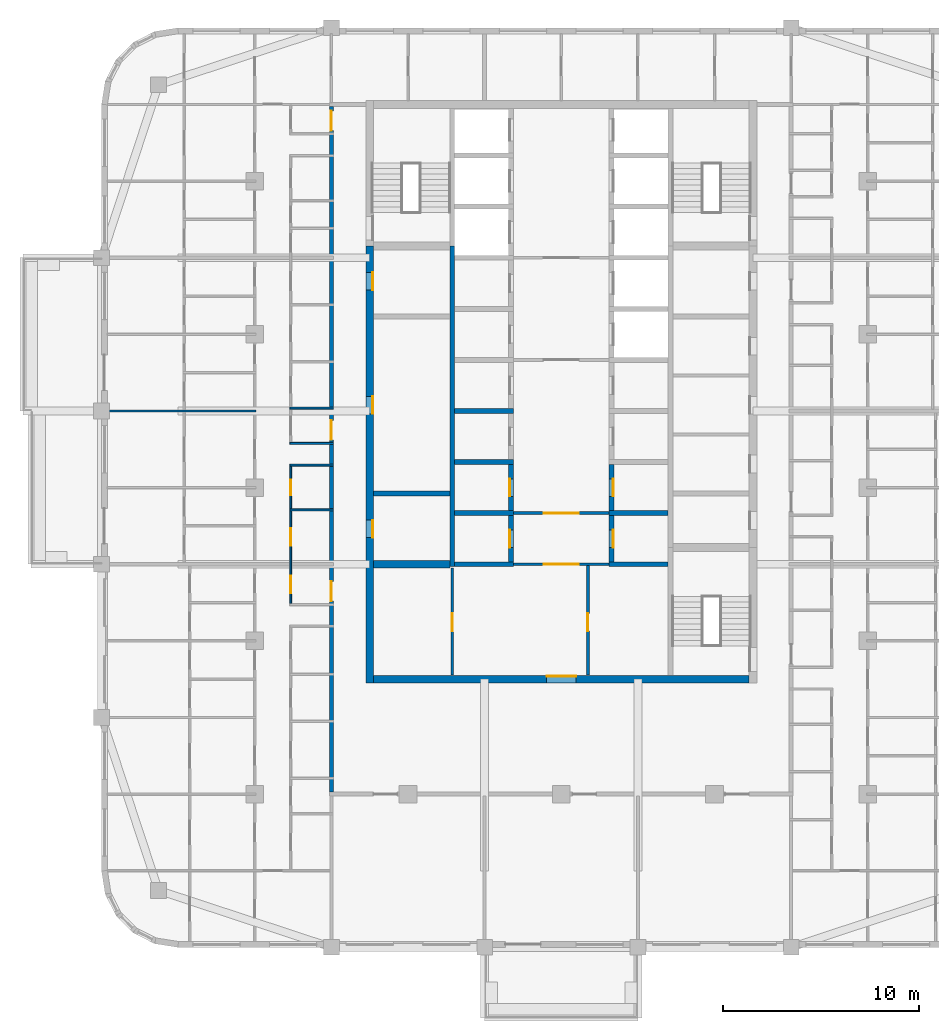
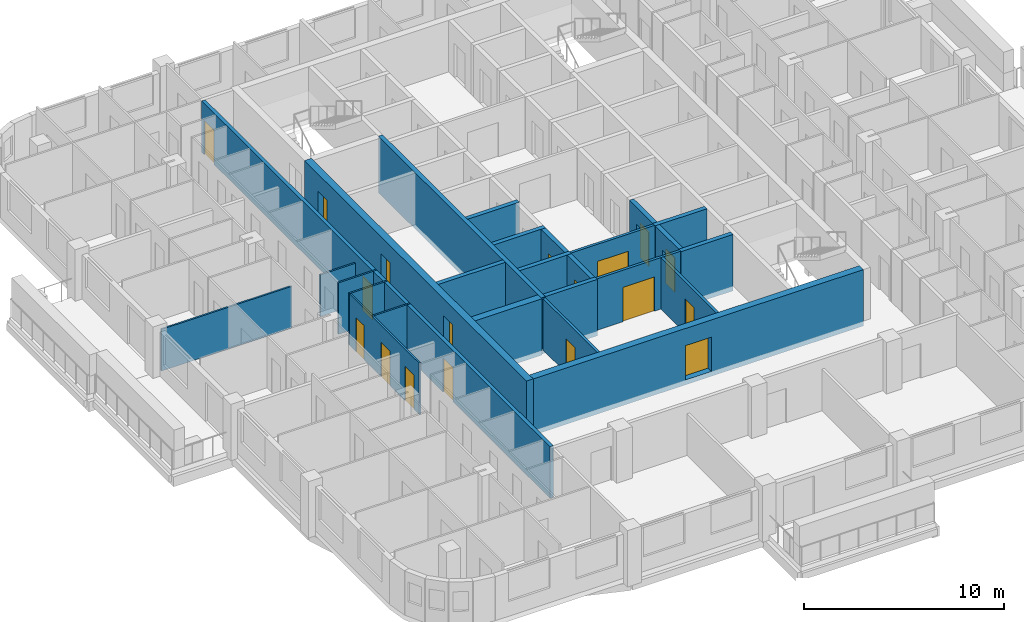
# One storey, part 4 of 15: 26 walls, 18 doors, 18 openings.
"""IFC4 building model written with IfcOpenShell, lengths in metres."""

from ifc_helpers import new_model, si_unit, direction, frame, frame_2d, origin, place, context, subcontext, project, spatial, rectangle, extrude, material, layer, layer_set, type_object, element, fill, save


model = new_model("IFC4")

# Units and contexts
model_context = context("Model", 3, precision=1e-05, world=origin(), true_north=direction((0.0, 1.0)))
body_context = subcontext(model_context, "Body", "Model", "MODEL_VIEW")
ifc_project = project(units=[si_unit("LENGTHUNIT", "METRE"), si_unit("AREAUNIT", "SQUARE_METRE"), si_unit("VOLUMEUNIT", "CUBIC_METRE"), si_unit("PLANEANGLEUNIT", "RADIAN"), si_unit("MASSUNIT", "GRAM", prefix="KILO")], contexts=[model_context])

# Site, building, storey
site_placement = place(None, origin())
site = spatial("IfcSite", under=ifc_project, at=site_placement, CompositionType="ELEMENT")
building_placement = place(site_placement, origin())
building = spatial("IfcBuilding", under=site, at=building_placement, Name="Ludao Terraces", CompositionType="ELEMENT")
storey_placement = place(building_placement, frame((0.0, 0.0, 197.300048828125)))
storey = spatial("IfcBuildingStorey", under=building, at=storey_placement, Name="L53", CompositionType="ELEMENT", Elevation=197.300048828125)

# Wall, openings, doors
ifc_material_1 = material(Name="Concrete C50", Category="concrete")
ifc_layer_1 = layer(ifc_material_1, 0.39990234375)
ifc_layer_set_1 = layer_set([ifc_layer_1], Name="Core wall 400 C50")
wall_type_1 = type_object("IfcWallType", Name="Core wall 400 C50", PredefinedType="SOLIDWALL", material=ifc_layer_set_1)
wall_1_placement = place(storey_placement, frame((75.25, 55.050048828125, -0.300048828125), z_axis=(0.0, 0.0, 1.0), x_axis=(0.0, 1.0, 0.0)))
wall_1 = element("IfcWall", 1, at=wall_1_placement, inside=storey, type_object=wall_type_1, Name="Core wall L53 outer-W", PredefinedType="SOLIDWALL", context=body_context, shape_type="SweptSolid", body=[
    extrude(rectangle(XDim=22.25, YDim=0.39990234375, at=frame_2d((11.125, 0.0))), origin(), (0.0, 0.0, 1.0), 3.449951171875),
])
opening_1_placement = place(wall_1_placement, frame((7.39990234375, 0.0, 0.300048828125)))
opening_1 = element("IfcOpeningElement", 2, at=opening_1_placement, cuts=wall_1, Name="Opening R19-054", PredefinedType="OPENING", context=body_context, shape_type="SweptSolid", body=[
    extrude(rectangle(XDim=0.89990234375, YDim=2.10009765625, at=frame_2d((0.449951171875, 1.050048828125))), frame((0.0, 0.2099609375, 0.0), z_axis=(0.0, -1.0, 0.0), x_axis=(1.0, 0.0, 0.0)), (0.0, 0.0, 1.0), 0.419921875),
])
opening_2_placement = place(wall_1_placement, frame((13.699951171875, 0.0, 0.300048828125)))
opening_2 = element("IfcOpeningElement", 3, at=opening_2_placement, cuts=wall_1, Name="Opening R19-077", PredefinedType="OPENING", context=body_context, shape_type="SweptSolid", body=[
    extrude(rectangle(XDim=0.89990234375, YDim=2.10009765625, at=frame_2d((0.449951171875, 1.050048828125))), frame((0.0, 0.2099609375, 0.0), z_axis=(0.0, -1.0, 0.0), x_axis=(1.0, 0.0, 0.0)), (0.0, 0.0, 1.0), 0.419921875),
])
opening_3_placement = place(wall_1_placement, frame((20.0, 0.0, 0.300048828125)))
opening_3 = element("IfcOpeningElement", 4, at=opening_3_placement, cuts=wall_1, Name="Opening R19-100", PredefinedType="OPENING", context=body_context, shape_type="SweptSolid", body=[
    extrude(rectangle(XDim=0.89990234375, YDim=2.10009765625, at=frame_2d((0.449951171875, 1.050048828125))), frame((0.0, 0.2099609375, 0.0), z_axis=(0.0, -1.0, 0.0), x_axis=(1.0, 0.0, 0.0)), (0.0, 0.0, 1.0), 0.419921875),
])
ifc_material_2 = material(Name="Steel Q235", Category="steel")
door_type_1 = type_object("IfcDoorType", Name="INT Riser door 900", OperationType="SINGLE_SWING_LEFT", PredefinedType="DOOR", material=ifc_material_2)
door_1_placement = place(opening_1_placement, origin())
door_1 = element("IfcDoor", 5, at=door_1_placement, inside=storey, type_object=door_type_1, Name="DOOR 054", OperationType="SINGLE_SWING_RIGHT", OverallHeight=2.10009765625, OverallWidth=0.89990234375, PredefinedType="DOOR", context=body_context, shape_type="SweptSolid", body=[
    extrude(rectangle(XDim=0.89990234375, YDim=2.10009765625, at=frame_2d((0.449951171875, 1.050048828125))), frame((0.0, -0.134765625, 0.0), z_axis=(0.0, -1.0, 0.0), x_axis=(1.0, 0.0, 0.0)), (0.0, 0.0, 1.0), 0.050048828125),
])
fill(opening_1, door_1)
door_2_placement = place(opening_3_placement, origin())
door_2 = element("IfcDoor", 6, at=door_2_placement, inside=storey, type_object=door_type_1, Name="DOOR 100", OperationType="SINGLE_SWING_LEFT", OverallHeight=2.10009765625, OverallWidth=0.89990234375, PredefinedType="DOOR", context=body_context, shape_type="SweptSolid", body=[
    extrude(rectangle(XDim=0.89990234375, YDim=2.10009765625, at=frame_2d((0.449951171875, 1.050048828125))), frame((0.0, -0.134765625, 0.0), z_axis=(0.0, -1.0, 0.0), x_axis=(1.0, 0.0, 0.0)), (0.0, 0.0, 1.0), 0.050048828125),
])
fill(opening_3, door_2)
ifc_material_3 = material(Name="Timber door leaf", Category="wood")
door_type_2 = type_object("IfcDoorType", Name="INT Room door 900", OperationType="SINGLE_SWING_LEFT", PredefinedType="DOOR", material=ifc_material_3)
door_3_placement = place(opening_2_placement, origin())
door_3 = element("IfcDoor", 7, at=door_3_placement, inside=storey, type_object=door_type_2, Name="DOOR 077", OperationType="SINGLE_SWING_RIGHT", OverallHeight=2.10009765625, OverallWidth=0.89990234375, PredefinedType="DOOR", context=body_context, shape_type="SweptSolid", body=[
    extrude(rectangle(XDim=0.89990234375, YDim=2.10009765625, at=frame_2d((0.449951171875, 1.050048828125))), frame((0.0, -0.134765625, 0.0), z_axis=(0.0, -1.0, 0.0), x_axis=(1.0, 0.0, 0.0)), (0.0, 0.0, 1.0), 0.050048828125),
])
fill(opening_2, door_3)

# Wall, opening, door
wall_2_placement = place(storey_placement, frame((75.449951171875, 55.25, -0.300048828125), z_axis=(0.0, 0.0, 1.0), x_axis=(1.0, 0.0, 0.0)))
wall_2 = element("IfcWall", 8, at=wall_2_placement, inside=storey, type_object=wall_type_1, Name="Core wall L53 outer-S", PredefinedType="SOLIDWALL", context=body_context, shape_type="SweptSolid", body=[
    extrude(rectangle(XDim=19.10009765625, YDim=0.39990234375, at=frame_2d((9.550048828125, 0.0))), origin(), (0.0, 0.0, 1.0), 3.449951171875),
])
opening_4_placement = place(wall_2_placement, frame((8.800048828125, 0.0, 0.300048828125)))
opening_4 = element("IfcOpeningElement", 9, at=opening_4_placement, cuts=wall_2, Name="Opening R19-028", PredefinedType="OPENING", context=body_context, shape_type="SweptSolid", body=[
    extrude(rectangle(XDim=1.5, YDim=2.10009765625, at=frame_2d((0.75, 1.050048828125))), frame((0.0, 0.2099609375, 0.0), z_axis=(0.0, -1.0, 0.0), x_axis=(1.0, 0.0, 0.0)), (0.0, 0.0, 1.0), 0.419921875),
])
door_type_3 = type_object("IfcDoorType", Name="INT Lobby door 1500", OperationType="DOUBLE_DOOR_SINGLE_SWING", PredefinedType="DOOR", material=ifc_material_2)
door_4_placement = place(opening_4_placement, origin())
door_4 = element("IfcDoor", 10, at=door_4_placement, inside=storey, type_object=door_type_3, Name="DOOR 028", OperationType="DOUBLE_DOOR_SINGLE_SWING", OverallHeight=2.10009765625, OverallWidth=1.5, PredefinedType="DOOR", context=body_context, shape_type="SweptSolid", body=[
    extrude(rectangle(XDim=1.5, YDim=2.10009765625, at=frame_2d((0.75, 1.050048828125))), frame((0.0, 0.18505859375, 0.0), z_axis=(0.0, -1.0, 0.0), x_axis=(1.0, 0.0, 0.0)), (0.0, 0.0, 1.0), 0.050048828125),
])
fill(opening_4, door_4)

ifc_material_4 = material(Name="Fire-rated gypsum plasterboard", Category="gypsum")
ifc_layer_2 = layer(ifc_material_4, 0.012451171875, Category="gypsum")
ifc_material_5 = material(Name="Mineral wool")
ifc_layer_3 = layer(ifc_material_5, 0.10009765625, Name="insulation")
ifc_layer_4 = layer(ifc_material_2, 0.02490234375, Name="stud")
ifc_layer_5 = layer(ifc_material_4, 0.012451171875, Category="gypsum")
ifc_layer_set_2 = layer_set([ifc_layer_2, ifc_layer_3, ifc_layer_4, ifc_layer_5], Name="INT Core partition 150")
wall_type_2 = type_object("IfcWallType", Name="INT Core partition 150", PredefinedType="PARTITIONING", material=ifc_layer_set_2)
wall_3_placement = place(storey_placement, frame((82.5751953125, 61.10009765625, 0.0), z_axis=(0.0, 0.0, 1.0), x_axis=(1.0, 0.0, 0.0)))
wall_3 = element("IfcWall", 11, at=wall_3_placement, inside=storey, type_object=wall_type_2, Name="PW-L53-PW026", PredefinedType="PARTITIONING", context=body_context, shape_type="SweptSolid", body=[
    extrude(rectangle(XDim=4.849853515625, YDim=0.14990234375, at=frame_2d((2.4248046875, 0.0))), origin(), (0.0, 0.0, 1.0), 3.14990234375),
])
opening_5_placement = place(wall_3_placement, frame((1.52490234375, 0.0, 0.0)))
opening_5 = element("IfcOpeningElement", 12, at=opening_5_placement, cuts=wall_3, Name="Opening R19-048", PredefinedType="OPENING", context=body_context, shape_type="SweptSolid", body=[
    extrude(rectangle(XDim=1.800048828125, YDim=2.10009765625, at=frame_2d((0.89990234375, 1.050048828125))), frame((0.0, 0.0849609375, 0.0), z_axis=(0.0, -1.0, 0.0), x_axis=(1.0, 0.0, 0.0)), (0.0, 0.0, 1.0), 0.169921875),
])
door_type_4 = type_object("IfcDoorType", Name="INT Fire lobby door 1800", OperationType="DOUBLE_DOOR_SINGLE_SWING", PredefinedType="DOOR", material=ifc_material_2)
door_5_placement = place(opening_5_placement, origin())
door_5 = element("IfcDoor", 13, at=door_5_placement, inside=storey, type_object=door_type_4, Name="DOOR 048", OperationType="DOUBLE_DOOR_SINGLE_SWING", OverallHeight=2.10009765625, OverallWidth=1.800048828125, PredefinedType="DOOR", context=body_context, shape_type="SweptSolid", body=[
    extrude(rectangle(XDim=1.800048828125, YDim=2.10009765625, at=frame_2d((0.89990234375, 1.050048828125))), frame((0.0, 0.02490234375, 0.0), z_axis=(0.0, -1.0, 0.0), x_axis=(1.0, 0.0, 0.0)), (0.0, 0.0, 1.0), 0.050048828125),
])
fill(opening_5, door_5)

wall_4_placement = place(storey_placement, frame((82.5751953125, 63.699951171875, 0.0), z_axis=(0.0, 0.0, 1.0), x_axis=(1.0, 0.0, 0.0)))
wall_4 = element("IfcWall", 14, at=wall_4_placement, inside=storey, type_object=wall_type_2, Name="PW-L53-PW031", PredefinedType="PARTITIONING", context=body_context, shape_type="SweptSolid", body=[
    extrude(rectangle(XDim=4.849853515625, YDim=0.14990234375, at=frame_2d((2.4248046875, 0.0))), origin(), (0.0, 0.0, 1.0), 3.14990234375),
])
opening_6_placement = place(wall_4_placement, frame((1.52490234375, 0.0, 0.0)))
opening_6 = element("IfcOpeningElement", 15, at=opening_6_placement, cuts=wall_4, Name="Opening R19-058", PredefinedType="OPENING", context=body_context, shape_type="SweptSolid", body=[
    extrude(rectangle(XDim=1.800048828125, YDim=2.10009765625, at=frame_2d((0.89990234375, 1.050048828125))), frame((0.0, 0.0849609375, 0.0), z_axis=(0.0, -1.0, 0.0), x_axis=(1.0, 0.0, 0.0)), (0.0, 0.0, 1.0), 0.169921875),
])
door_6_placement = place(opening_6_placement, origin())
door_6 = element("IfcDoor", 16, at=door_6_placement, inside=storey, type_object=door_type_4, Name="DOOR 058", OperationType="DOUBLE_DOOR_SINGLE_SWING", OverallHeight=2.10009765625, OverallWidth=1.800048828125, PredefinedType="DOOR", context=body_context, shape_type="SweptSolid", body=[
    extrude(rectangle(XDim=1.800048828125, YDim=2.10009765625, at=frame_2d((0.89990234375, 1.050048828125))), frame((0.0, 0.02490234375, 0.0), z_axis=(0.0, -1.0, 0.0), x_axis=(1.0, 0.0, 0.0)), (0.0, 0.0, 1.0), 0.050048828125),
])
fill(opening_6, door_6)

wall_5_placement = place(storey_placement, frame((79.449951171875, 55.4501953125, 0.0), z_axis=(0.0, 0.0, 1.0), x_axis=(0.0, 1.0, 0.0)))
wall_5 = element("IfcWall", 17, at=wall_5_placement, inside=storey, type_object=wall_type_2, Name="PW-L53-PW086", PredefinedType="PARTITIONING", context=body_context, shape_type="SweptSolid", body=[
    extrude(rectangle(XDim=5.449951171875, YDim=0.14990234375, at=frame_2d((2.72509765625, 0.0))), origin(), (0.0, 0.0, 1.0), 3.14990234375),
])
opening_7_placement = place(wall_5_placement, frame((2.25, 0.0, 0.0)))
opening_7 = element("IfcOpeningElement", 18, at=opening_7_placement, cuts=wall_5, Name="Opening R19-037", PredefinedType="OPENING", context=body_context, shape_type="SweptSolid", body=[
    extrude(rectangle(XDim=0.89990234375, YDim=2.10009765625, at=frame_2d((0.449951171875, 1.050048828125))), frame((0.0, 0.0849609375, 0.0), z_axis=(0.0, -1.0, 0.0), x_axis=(1.0, 0.0, 0.0)), (0.0, 0.0, 1.0), 0.169921875),
])
door_7_placement = place(opening_7_placement, origin())
door_7 = element("IfcDoor", 19, at=door_7_placement, inside=storey, type_object=door_type_2, Name="DOOR 037", OperationType="SINGLE_SWING_LEFT", OverallHeight=2.10009765625, OverallWidth=0.89990234375, PredefinedType="DOOR", context=body_context, shape_type="SweptSolid", body=[
    extrude(rectangle(XDim=0.89990234375, YDim=2.10009765625, at=frame_2d((0.449951171875, 1.050048828125))), frame((0.0, 0.02490234375, 0.0), z_axis=(0.0, -1.0, 0.0), x_axis=(1.0, 0.0, 0.0)), (0.0, 0.0, 1.0), 0.050048828125),
])
fill(opening_7, door_7)

wall_6_placement = place(storey_placement, frame((86.35009765625, 55.4501953125, 0.0), z_axis=(0.0, 0.0, 1.0), x_axis=(0.0, 1.0, 0.0)))
wall_6 = element("IfcWall", 20, at=wall_6_placement, inside=storey, type_object=wall_type_2, Name="PW-L53-PW090", PredefinedType="PARTITIONING", context=body_context, shape_type="SweptSolid", body=[
    extrude(rectangle(XDim=5.574951171875, YDim=0.14990234375, at=frame_2d((2.78759765625, 0.0))), origin(), (0.0, 0.0, 1.0), 3.14990234375),
])
opening_8_placement = place(wall_6_placement, frame((2.25, 0.0, 0.0)))
opening_8 = element("IfcOpeningElement", 21, at=opening_8_placement, cuts=wall_6, Name="Opening R19-038", PredefinedType="OPENING", context=body_context, shape_type="SweptSolid", body=[
    extrude(rectangle(XDim=0.89990234375, YDim=2.10009765625, at=frame_2d((0.449951171875, 1.050048828125))), frame((0.0, 0.0849609375, 0.0), z_axis=(0.0, -1.0, 0.0), x_axis=(1.0, 0.0, 0.0)), (0.0, 0.0, 1.0), 0.169921875),
])
door_8_placement = place(opening_8_placement, origin())
door_8 = element("IfcDoor", 22, at=door_8_placement, inside=storey, type_object=door_type_2, Name="DOOR 038", OperationType="SINGLE_SWING_RIGHT", OverallHeight=2.10009765625, OverallWidth=0.89990234375, PredefinedType="DOOR", context=body_context, shape_type="SweptSolid", body=[
    extrude(rectangle(XDim=0.89990234375, YDim=2.10009765625, at=frame_2d((0.449951171875, 1.050048828125))), frame((0.0, 0.02490234375, 0.0), z_axis=(0.0, -1.0, 0.0), x_axis=(1.0, 0.0, 0.0)), (0.0, 0.0, 1.0), 0.050048828125),
])
fill(opening_8, door_8)

# Wall, openings, doors
ifc_material_6 = material(Name="Autoclaved aerated concrete block B06 A3.5", Category="concrete")
ifc_layer_6 = layer(ifc_material_6, 0.199951171875)
ifc_layer_set_3 = layer_set([ifc_layer_6], Name="INT Entrance wall 200")
wall_type_3 = type_object("IfcWallType", Name="INT Entrance wall 200", PredefinedType="PARTITIONING", material=ifc_layer_set_3)
wall_7_placement = place(storey_placement, frame((73.300048828125, 49.5, 0.0), z_axis=(0.0, 0.0, 1.0), x_axis=(0.0, 1.0, 0.0)))
wall_7 = element("IfcWall", 23, at=wall_7_placement, inside=storey, type_object=wall_type_3, Name="PW-L53-PW083", PredefinedType="PARTITIONING", context=body_context, shape_type="SweptSolid", body=[
    extrude(rectangle(XDim=34.900146484375, YDim=0.199951171875, at=frame_2d((17.4501953125, 0.0))), origin(), (0.0, 0.0, 1.0), 3.14990234375),
])
opening_9_placement = place(wall_7_placement, frame((9.72509765625, 0.0, 0.0)))
opening_9 = element("IfcOpeningElement", 24, at=opening_9_placement, cuts=wall_7, Name="Opening R19-041", PredefinedType="OPENING", context=body_context, shape_type="SweptSolid", body=[
    extrude(rectangle(XDim=1.0, YDim=2.10009765625, at=frame_2d((0.5, 1.050048828125))), frame((0.0, 0.10986328125, 0.0), z_axis=(0.0, -1.0, 0.0), x_axis=(1.0, 0.0, 0.0)), (0.0, 0.0, 1.0), 0.219970703125),
])
opening_10_placement = place(wall_7_placement, frame((17.925048828125, 0.0, 0.0)))
opening_10 = element("IfcOpeningElement", 25, at=opening_10_placement, cuts=wall_7, Name="Opening R19-073", PredefinedType="OPENING", context=body_context, shape_type="SweptSolid", body=[
    extrude(rectangle(XDim=1.0, YDim=2.10009765625, at=frame_2d((0.5, 1.050048828125))), frame((0.0, 0.10986328125, 0.0), z_axis=(0.0, -1.0, 0.0), x_axis=(1.0, 0.0, 0.0)), (0.0, 0.0, 1.0), 0.219970703125),
])
opening_11_placement = place(wall_7_placement, frame((33.675048828125, 0.0, 0.0)))
opening_11 = element("IfcOpeningElement", 26, at=opening_11_placement, cuts=wall_7, Name="Opening R19-134", PredefinedType="OPENING", context=body_context, shape_type="SweptSolid", body=[
    extrude(rectangle(XDim=1.0, YDim=2.10009765625, at=frame_2d((0.5, 1.050048828125))), frame((0.0, 0.10986328125, 0.0), z_axis=(0.0, -1.0, 0.0), x_axis=(1.0, 0.0, 0.0)), (0.0, 0.0, 1.0), 0.219970703125),
])
door_type_5 = type_object("IfcDoorType", Name="INT Flat entrance door 1000", OperationType="SINGLE_SWING_LEFT", PredefinedType="DOOR", material=ifc_material_2)
door_9_placement = place(opening_9_placement, origin())
door_9 = element("IfcDoor", 27, at=door_9_placement, inside=storey, type_object=door_type_5, Name="DOOR 041", OperationType="SINGLE_SWING_RIGHT", OverallHeight=2.10009765625, OverallWidth=1.0, PredefinedType="DOOR", context=body_context, shape_type="SweptSolid", body=[
    extrude(rectangle(XDim=1.0, YDim=2.10009765625, at=frame_2d((0.5, 1.050048828125))), frame((0.0, 0.02490234375, 0.0), z_axis=(0.0, -1.0, 0.0), x_axis=(1.0, 0.0, 0.0)), (0.0, 0.0, 1.0), 0.050048828125),
])
fill(opening_9, door_9)
door_10_placement = place(opening_10_placement, origin())
door_10 = element("IfcDoor", 28, at=door_10_placement, inside=storey, type_object=door_type_5, Name="DOOR 073", OperationType="SINGLE_SWING_RIGHT", OverallHeight=2.10009765625, OverallWidth=1.0, PredefinedType="DOOR", context=body_context, shape_type="SweptSolid", body=[
    extrude(rectangle(XDim=1.0, YDim=2.10009765625, at=frame_2d((0.5, 1.050048828125))), frame((0.0, 0.02490234375, 0.0), z_axis=(0.0, -1.0, 0.0), x_axis=(1.0, 0.0, 0.0)), (0.0, 0.0, 1.0), 0.050048828125),
])
fill(opening_10, door_10)
door_11_placement = place(opening_11_placement, origin())
door_11 = element("IfcDoor", 29, at=door_11_placement, inside=storey, type_object=door_type_5, Name="DOOR 134", OperationType="SINGLE_SWING_RIGHT", OverallHeight=2.10009765625, OverallWidth=1.0, PredefinedType="DOOR", context=body_context, shape_type="SweptSolid", body=[
    extrude(rectangle(XDim=1.0, YDim=2.10009765625, at=frame_2d((0.5, 1.050048828125))), frame((0.0, 0.02490234375, 0.0), z_axis=(0.0, -1.0, 0.0), x_axis=(1.0, 0.0, 0.0)), (0.0, 0.0, 1.0), 0.050048828125),
])
fill(opening_11, door_11)

# Walls
ifc_material_7 = material(Name="Gypsum plasterboard", Category="gypsum")
ifc_layer_7 = layer(ifc_material_7, 0.012451171875, Category="gypsum")
ifc_layer_8 = layer(ifc_material_5, 0.06005859375, Name="insulation")
ifc_layer_9 = layer(ifc_material_2, 0.014892578125, Name="stud")
ifc_layer_10 = layer(ifc_material_7, 0.012451171875, Category="gypsum")
ifc_layer_set_4 = layer_set([ifc_layer_7, ifc_layer_8, ifc_layer_9, ifc_layer_10], Name="INT Partition 100")
wall_type_4 = type_object("IfcWallType", Name="INT Partition 100", PredefinedType="PARTITIONING", material=ifc_layer_set_4)
for number, where, z_axis, x_axis, name in (
    (30, (71.18017578125, 63.8701171875, 0.0), (0.0, 0.0, 1.0), (1.0, 0.0, 0.0), "PW-L53-PW032"),
    (31, (71.18017578125, 66.14990234375, 0.0), (0.0, 0.0, 1.0), (1.0, 0.0, 0.0), "PW-L53-PW035"),
    (32, (71.18017578125, 67.25, 0.0), (0.0, 0.0, 1.0), (1.0, 0.0, 0.0), "PW-L53-PW038"),
):
    element("IfcWall", number, at=place(storey_placement, frame(where, z_axis=z_axis, x_axis=x_axis)), inside=storey, type_object=wall_type_4, Name=name, PredefinedType="PARTITIONING", context=body_context, shape_type="SweptSolid", body=[
        extrude(rectangle(XDim=2.219970703125, YDim=0.10009765625, at=frame_2d((1.10986328125, 0.0))), origin(), (0.0, 0.0, 1.0), 3.14990234375),
    ])
wall_8_placement = place(storey_placement, frame((61.900146484375, 68.89990234375, 0.0), z_axis=(0.0, 0.0, 1.0), x_axis=(1.0, 0.0, 0.0)))
element("IfcWall", 33, at=wall_8_placement, inside=storey, type_object=wall_type_4, Name="PW-L53-PW040", PredefinedType="PARTITIONING", context=body_context, shape_type="SweptSolid", body=[
    extrude(rectangle(XDim=7.550048828125, YDim=0.10009765625, at=frame_2d((3.77490234375, 0.0))), origin(), (0.0, 0.0, 1.0), 2.5498046875),
])
wall_9_placement = place(storey_placement, frame((71.18017578125, 69.050048828125, 0.0), z_axis=(0.0, 0.0, 1.0), x_axis=(1.0, 0.0, 0.0)))
element("IfcWall", 34, at=wall_9_placement, inside=storey, type_object=wall_type_4, Name="PW-L53-PW042", PredefinedType="PARTITIONING", context=body_context, shape_type="SweptSolid", body=[
    extrude(rectangle(XDim=2.219970703125, YDim=0.10009765625, at=frame_2d((1.10986328125, 0.0))), origin(), (0.0, 0.0, 1.0), 2.5498046875),
])

# Wall, openings, doors
wall_10_placement = place(storey_placement, frame((71.22998046875, 59.10009765625, 0.0), z_axis=(0.0, 0.0, 1.0), x_axis=(0.0, 1.0, 0.0)))
wall_10 = element("IfcWall", 35, at=wall_10_placement, inside=storey, type_object=wall_type_4, Name="PW-L53-PW079", PredefinedType="PARTITIONING", context=body_context, shape_type="SweptSolid", body=[
    extrude(rectangle(XDim=7.0, YDim=0.10009765625, at=frame_2d((3.5, 0.0))), origin(), (0.0, 0.0, 1.0), 3.14990234375),
])
opening_12_placement = place(wall_10_placement, frame((0.52490234375, 0.0, 0.0)))
opening_12 = element("IfcOpeningElement", 36, at=opening_12_placement, cuts=wall_10, Name="Opening R19-043", PredefinedType="OPENING", context=body_context, shape_type="SweptSolid", body=[
    extrude(rectangle(XDim=0.89990234375, YDim=2.10009765625, at=frame_2d((0.449951171875, 1.050048828125))), frame((0.0, 0.06005859375, 0.0), z_axis=(0.0, -1.0, 0.0), x_axis=(1.0, 0.0, 0.0)), (0.0, 0.0, 1.0), 0.1201171875),
])
opening_13_placement = place(wall_10_placement, frame((2.93505859375, 0.0, 0.0)))
opening_13 = element("IfcOpeningElement", 37, at=opening_13_placement, cuts=wall_10, Name="Opening R19-053", PredefinedType="OPENING", context=body_context, shape_type="SweptSolid", body=[
    extrude(rectangle(XDim=0.89990234375, YDim=2.10009765625, at=frame_2d((0.449951171875, 1.050048828125))), frame((0.0, 0.06005859375, 0.0), z_axis=(0.0, -1.0, 0.0), x_axis=(1.0, 0.0, 0.0)), (0.0, 0.0, 1.0), 0.1201171875),
])
opening_14_placement = place(wall_10_placement, frame((5.510009765625, 0.0, 0.0)))
opening_14 = element("IfcOpeningElement", 38, at=opening_14_placement, cuts=wall_10, Name="Opening R19-065", PredefinedType="OPENING", context=body_context, shape_type="SweptSolid", body=[
    extrude(rectangle(XDim=0.800048828125, YDim=2.10009765625, at=frame_2d((0.39990234375, 1.050048828125))), frame((0.0, 0.06005859375, 0.0), z_axis=(0.0, -1.0, 0.0), x_axis=(1.0, 0.0, 0.0)), (0.0, 0.0, 1.0), 0.1201171875),
])
door_12_placement = place(opening_12_placement, origin())
door_12 = element("IfcDoor", 39, at=door_12_placement, inside=storey, type_object=door_type_2, Name="DOOR 043", OperationType="SINGLE_SWING_LEFT", OverallHeight=2.10009765625, OverallWidth=0.89990234375, PredefinedType="DOOR", context=body_context, shape_type="SweptSolid", body=[
    extrude(rectangle(XDim=0.89990234375, YDim=2.10009765625, at=frame_2d((0.449951171875, 1.050048828125))), frame((0.0, 0.02490234375, 0.0), z_axis=(0.0, -1.0, 0.0), x_axis=(1.0, 0.0, 0.0)), (0.0, 0.0, 1.0), 0.050048828125),
])
fill(opening_12, door_12)
door_13_placement = place(opening_13_placement, origin())
door_13 = element("IfcDoor", 40, at=door_13_placement, inside=storey, type_object=door_type_2, Name="DOOR 053", OperationType="SINGLE_SWING_RIGHT", OverallHeight=2.10009765625, OverallWidth=0.89990234375, PredefinedType="DOOR", context=body_context, shape_type="SweptSolid", body=[
    extrude(rectangle(XDim=0.89990234375, YDim=2.10009765625, at=frame_2d((0.449951171875, 1.050048828125))), frame((0.0, 0.02490234375, 0.0), z_axis=(0.0, -1.0, 0.0), x_axis=(1.0, 0.0, 0.0)), (0.0, 0.0, 1.0), 0.050048828125),
])
fill(opening_13, door_13)
door_type_6 = type_object("IfcDoorType", Name="INT Store door 800", OperationType="SINGLE_SWING_LEFT", PredefinedType="DOOR", material=ifc_material_3)
door_14_placement = place(opening_14_placement, origin())
door_14 = element("IfcDoor", 41, at=door_14_placement, inside=storey, type_object=door_type_6, Name="DOOR 065", OperationType="SINGLE_SWING_RIGHT", OverallHeight=2.10009765625, OverallWidth=0.800048828125, PredefinedType="DOOR", context=body_context, shape_type="SweptSolid", body=[
    extrude(rectangle(XDim=0.800048828125, YDim=2.10009765625, at=frame_2d((0.39990234375, 1.050048828125))), frame((0.0, 0.02490234375, 0.0), z_axis=(0.0, -1.0, 0.0), x_axis=(1.0, 0.0, 0.0)), (0.0, 0.0, 1.0), 0.050048828125),
])
fill(opening_14, door_14)

# Walls
ifc_layer_11 = layer(ifc_material_1, 0.25)
ifc_layer_set_5 = layer_set([ifc_layer_11], Name="Shaft wall 250 C50")
wall_type_5 = type_object("IfcWallType", Name="Shaft wall 250 C50", PredefinedType="SOLIDWALL", material=ifc_layer_set_5)
wall_11_placement = place(storey_placement, frame((79.449951171875, 60.97509765625, -0.300048828125), z_axis=(0.0, 0.0, 1.0), x_axis=(0.0, 1.0, 0.0)))
element("IfcWall", 42, at=wall_11_placement, inside=storey, type_object=wall_type_5, Name="Core wall L53 back-W", PredefinedType="SOLIDWALL", context=body_context, shape_type="SweptSolid", body=[
    extrude(rectangle(XDim=16.324951171875, YDim=0.25, at=frame_2d((8.16259765625, 0.0))), origin(), (0.0, 0.0, 1.0), 3.449951171875),
])
wall_12_placement = place(storey_placement, frame((79.574951171875, 61.10009765625, -0.300048828125), z_axis=(0.0, 0.0, 1.0), x_axis=(1.0, 0.0, 0.0)))
element("IfcWall", 43, at=wall_12_placement, inside=storey, type_object=wall_type_5, Name="Core wall L53 div-W1", PredefinedType="SOLIDWALL", context=body_context, shape_type="SweptSolid", body=[
    extrude(rectangle(XDim=3.0, YDim=0.25, at=frame_2d((1.5, 0.0))), origin(), (0.0, 0.0, 1.0), 3.449951171875),
])

# Wall, opening, door
wall_13_placement = place(storey_placement, frame((82.449951171875, 61.22509765625, -0.300048828125), z_axis=(0.0, 0.0, 1.0), x_axis=(0.0, 1.0, 0.0)))
wall_13 = element("IfcWall", 44, at=wall_13_placement, inside=storey, type_object=wall_type_5, Name="Core wall L53 front-W1", PredefinedType="SOLIDWALL", context=body_context, shape_type="SweptSolid", body=[
    extrude(rectangle(XDim=2.349853515625, YDim=0.25, at=frame_2d((1.1748046875, 0.0))), origin(), (0.0, 0.0, 1.0), 3.449951171875),
])
opening_15_placement = place(wall_13_placement, frame((0.72509765625, 0.0, 0.300048828125)))
opening_15 = element("IfcOpeningElement", 45, at=opening_15_placement, cuts=wall_13, Name="Opening R19-051", PredefinedType="OPENING", context=body_context, shape_type="SweptSolid", body=[
    extrude(rectangle(XDim=0.89990234375, YDim=2.10009765625, at=frame_2d((0.449951171875, 1.050048828125))), frame((0.0, 0.135009765625, 0.0), z_axis=(0.0, -1.0, 0.0), x_axis=(1.0, 0.0, 0.0)), (0.0, 0.0, 1.0), 0.27001953125),
])
door_15_placement = place(opening_15_placement, origin())
door_15 = element("IfcDoor", 46, at=door_15_placement, inside=storey, type_object=door_type_2, Name="DOOR 051", OperationType="SINGLE_SWING_LEFT", OverallHeight=2.10009765625, OverallWidth=0.89990234375, PredefinedType="DOOR", context=body_context, shape_type="SweptSolid", body=[
    extrude(rectangle(XDim=0.89990234375, YDim=2.10009765625, at=frame_2d((0.449951171875, 1.050048828125))), frame((0.0, 0.10986328125, 0.0), z_axis=(0.0, -1.0, 0.0), x_axis=(1.0, 0.0, 0.0)), (0.0, 0.0, 1.0), 0.050048828125),
])
fill(opening_15, door_15)

# Wall
wall_14_placement = place(storey_placement, frame((79.574951171875, 63.699951171875, -0.300048828125), z_axis=(0.0, 0.0, 1.0), x_axis=(1.0, 0.0, 0.0)))
element("IfcWall", 47, at=wall_14_placement, inside=storey, type_object=wall_type_5, Name="Core wall L53 div-W2", PredefinedType="SOLIDWALL", context=body_context, shape_type="SweptSolid", body=[
    extrude(rectangle(XDim=3.0, YDim=0.25, at=frame_2d((1.5, 0.0))), origin(), (0.0, 0.0, 1.0), 3.449951171875),
])

# Wall, opening, door
wall_15_placement = place(storey_placement, frame((82.449951171875, 63.824951171875, -0.300048828125), z_axis=(0.0, 0.0, 1.0), x_axis=(0.0, 1.0, 0.0)))
wall_15 = element("IfcWall", 48, at=wall_15_placement, inside=storey, type_object=wall_type_5, Name="Core wall L53 front-W2", PredefinedType="SOLIDWALL", context=body_context, shape_type="SweptSolid", body=[
    extrude(rectangle(XDim=2.35009765625, YDim=0.25, at=frame_2d((1.175048828125, 0.0))), origin(), (0.0, 0.0, 1.0), 3.449951171875),
])
opening_16_placement = place(wall_15_placement, frame((0.72509765625, 0.0, 0.300048828125)))
opening_16 = element("IfcOpeningElement", 49, at=opening_16_placement, cuts=wall_15, Name="Opening R19-063", PredefinedType="OPENING", context=body_context, shape_type="SweptSolid", body=[
    extrude(rectangle(XDim=0.89990234375, YDim=2.10009765625, at=frame_2d((0.449951171875, 1.050048828125))), frame((0.0, 0.135009765625, 0.0), z_axis=(0.0, -1.0, 0.0), x_axis=(1.0, 0.0, 0.0)), (0.0, 0.0, 1.0), 0.27001953125),
])
door_16_placement = place(opening_16_placement, origin())
door_16 = element("IfcDoor", 50, at=door_16_placement, inside=storey, type_object=door_type_2, Name="DOOR 063", OperationType="SINGLE_SWING_LEFT", OverallHeight=2.10009765625, OverallWidth=0.89990234375, PredefinedType="DOOR", context=body_context, shape_type="SweptSolid", body=[
    extrude(rectangle(XDim=0.89990234375, YDim=2.10009765625, at=frame_2d((0.449951171875, 1.050048828125))), frame((0.0, 0.10986328125, 0.0), z_axis=(0.0, -1.0, 0.0), x_axis=(1.0, 0.0, 0.0)), (0.0, 0.0, 1.0), 0.050048828125),
])
fill(opening_16, door_16)

# Walls
for number, where, z_axis, x_axis, name in (
    (51, (79.574951171875, 66.300048828125, -0.300048828125), (0.0, 0.0, 1.0), (1.0, 0.0, 0.0), "Core wall L53 div-W3"),
    (52, (79.574951171875, 68.89990234375, -0.300048828125), (0.0, 0.0, 1.0), (1.0, 0.0, 0.0), "Core wall L53 div-W4"),
    (53, (87.425048828125, 61.10009765625, -0.300048828125), (0.0, 0.0, 1.0), (1.0, 0.0, 0.0), "Core wall L53 div-E1"),
):
    element("IfcWall", number, at=place(storey_placement, frame(where, z_axis=z_axis, x_axis=x_axis)), inside=storey, type_object=wall_type_5, Name=name, PredefinedType="SOLIDWALL", context=body_context, shape_type="SweptSolid", body=[
        extrude(rectangle(XDim=3.0, YDim=0.25, at=frame_2d((1.5, 0.0))), origin(), (0.0, 0.0, 1.0), 3.449951171875),
    ])

# Wall, opening, door
wall_16_placement = place(storey_placement, frame((87.550048828125, 61.22509765625, -0.300048828125), z_axis=(0.0, 0.0, 1.0), x_axis=(0.0, 1.0, 0.0)))
wall_16 = element("IfcWall", 54, at=wall_16_placement, inside=storey, type_object=wall_type_5, Name="Core wall L53 front-E1", PredefinedType="SOLIDWALL", context=body_context, shape_type="SweptSolid", body=[
    extrude(rectangle(XDim=2.349853515625, YDim=0.25, at=frame_2d((1.1748046875, 0.0))), origin(), (0.0, 0.0, 1.0), 3.449951171875),
])
opening_17_placement = place(wall_16_placement, frame((0.72509765625, 0.0, 0.300048828125)))
opening_17 = element("IfcOpeningElement", 55, at=opening_17_placement, cuts=wall_16, Name="Opening R19-052", PredefinedType="OPENING", context=body_context, shape_type="SweptSolid", body=[
    extrude(rectangle(XDim=0.89990234375, YDim=2.10009765625, at=frame_2d((0.449951171875, 1.050048828125))), frame((0.0, 0.135009765625, 0.0), z_axis=(0.0, -1.0, 0.0), x_axis=(1.0, 0.0, 0.0)), (0.0, 0.0, 1.0), 0.27001953125),
])
door_17_placement = place(opening_17_placement, origin())
door_17 = element("IfcDoor", 56, at=door_17_placement, inside=storey, type_object=door_type_2, Name="DOOR 052", OperationType="SINGLE_SWING_RIGHT", OverallHeight=2.10009765625, OverallWidth=0.89990234375, PredefinedType="DOOR", context=body_context, shape_type="SweptSolid", body=[
    extrude(rectangle(XDim=0.89990234375, YDim=2.10009765625, at=frame_2d((0.449951171875, 1.050048828125))), frame((0.0, -0.06005859375, 0.0), z_axis=(0.0, -1.0, 0.0), x_axis=(1.0, 0.0, 0.0)), (0.0, 0.0, 1.0), 0.050048828125),
])
fill(opening_17, door_17)

# Wall
wall_17_placement = place(storey_placement, frame((87.425048828125, 63.699951171875, -0.300048828125), z_axis=(0.0, 0.0, 1.0), x_axis=(1.0, 0.0, 0.0)))
element("IfcWall", 57, at=wall_17_placement, inside=storey, type_object=wall_type_5, Name="Core wall L53 div-E2", PredefinedType="SOLIDWALL", context=body_context, shape_type="SweptSolid", body=[
    extrude(rectangle(XDim=3.0, YDim=0.25, at=frame_2d((1.5, 0.0))), origin(), (0.0, 0.0, 1.0), 3.449951171875),
])

# Wall, opening, door
wall_18_placement = place(storey_placement, frame((87.550048828125, 63.824951171875, -0.300048828125), z_axis=(0.0, 0.0, 1.0), x_axis=(0.0, 1.0, 0.0)))
wall_18 = element("IfcWall", 58, at=wall_18_placement, inside=storey, type_object=wall_type_5, Name="Core wall L53 front-E2", PredefinedType="SOLIDWALL", context=body_context, shape_type="SweptSolid", body=[
    extrude(rectangle(XDim=2.35009765625, YDim=0.25, at=frame_2d((1.175048828125, 0.0))), origin(), (0.0, 0.0, 1.0), 3.449951171875),
])
opening_18_placement = place(wall_18_placement, frame((0.72509765625, 0.0, 0.300048828125)))
opening_18 = element("IfcOpeningElement", 59, at=opening_18_placement, cuts=wall_18, Name="Opening R19-064", PredefinedType="OPENING", context=body_context, shape_type="SweptSolid", body=[
    extrude(rectangle(XDim=0.89990234375, YDim=2.10009765625, at=frame_2d((0.449951171875, 1.050048828125))), frame((0.0, 0.135009765625, 0.0), z_axis=(0.0, -1.0, 0.0), x_axis=(1.0, 0.0, 0.0)), (0.0, 0.0, 1.0), 0.27001953125),
])
door_18_placement = place(opening_18_placement, origin())
door_18 = element("IfcDoor", 60, at=door_18_placement, inside=storey, type_object=door_type_2, Name="DOOR 064", OperationType="SINGLE_SWING_RIGHT", OverallHeight=2.10009765625, OverallWidth=0.89990234375, PredefinedType="DOOR", context=body_context, shape_type="SweptSolid", body=[
    extrude(rectangle(XDim=0.89990234375, YDim=2.10009765625, at=frame_2d((0.449951171875, 1.050048828125))), frame((0.0, -0.06005859375, 0.0), z_axis=(0.0, -1.0, 0.0), x_axis=(1.0, 0.0, 0.0)), (0.0, 0.0, 1.0), 0.050048828125),
])
fill(opening_18, door_18)

# Walls
wall_19_placement = place(storey_placement, frame((75.449951171875, 64.699951171875, -0.300048828125), z_axis=(0.0, 0.0, 1.0), x_axis=(1.0, 0.0, 0.0)))
element("IfcWall", 61, at=wall_19_placement, inside=storey, type_object=wall_type_5, Name="Core wall L53 riser-a-W", PredefinedType="SOLIDWALL", context=body_context, shape_type="SweptSolid", body=[
    extrude(rectangle(XDim=3.875, YDim=0.25, at=frame_2d((1.9375, 0.0))), origin(), (0.0, 0.0, 1.0), 3.449951171875),
])
ifc_layer_12 = layer(ifc_material_1, 0.39990234375)
ifc_layer_set_6 = layer_set([ifc_layer_12], Name="Shaft wall 400 C50")
wall_type_6 = type_object("IfcWallType", Name="Shaft wall 400 C50", PredefinedType="SOLIDWALL", material=ifc_layer_set_6)
wall_20_placement = place(storey_placement, frame((75.449951171875, 61.10009765625, -0.300048828125), z_axis=(0.0, 0.0, 1.0), x_axis=(1.0, 0.0, 0.0)))
element("IfcWall", 62, at=wall_20_placement, inside=storey, type_object=wall_type_6, Name="Core wall L53 hall-W", PredefinedType="SOLIDWALL", context=body_context, shape_type="SweptSolid", body=[
    extrude(rectangle(XDim=3.875, YDim=0.39990234375, at=frame_2d((1.9375, 0.0))), origin(), (0.0, 0.0, 1.0), 3.449951171875),
])

save(model, "model.ifc")
